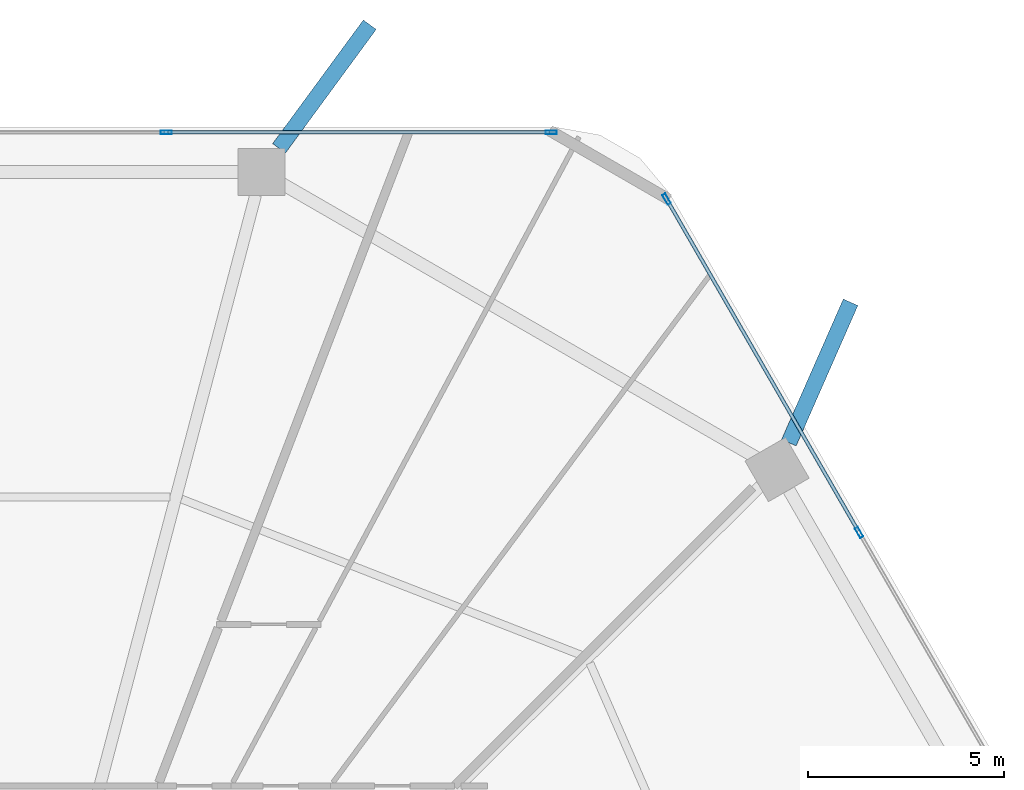
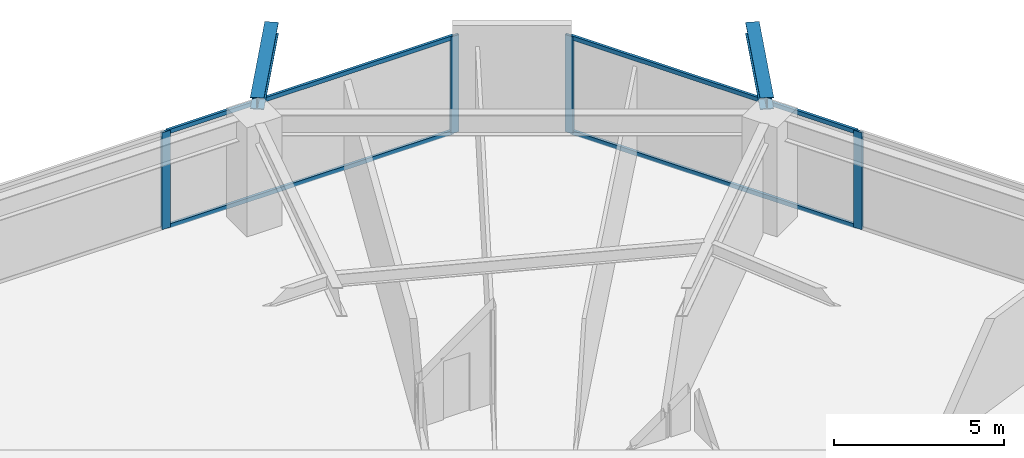
# One storey, part 19 of 25: 8 members, 2 beams, 2 elements without a shape of their own.
"""IFC4 building model written with IfcOpenShell, lengths in metres."""

from ifc_helpers import new_model, si_unit, direction, frame, origin, origin_2d, place, context, subcontext, project, spatial, hollow_rectangle, i_section, extrude, material, material_profile, profile_set, type_object, element, aggregate, save


model = new_model("IFC4")

# Units and contexts
model_context = context("Model", 3, precision=1e-05, world=origin(), true_north=direction((0.0, 1.0)))
body_context = subcontext(model_context, "Body", "Model", "MODEL_VIEW")
ifc_project = project(units=[si_unit("LENGTHUNIT", "METRE"), si_unit("AREAUNIT", "SQUARE_METRE"), si_unit("VOLUMEUNIT", "CUBIC_METRE"), si_unit("PLANEANGLEUNIT", "RADIAN"), si_unit("MASSUNIT", "GRAM", prefix="KILO")], contexts=[model_context])

# Site, building, storey
site_placement = place(None, origin())
site = spatial("IfcSite", under=ifc_project, at=site_placement, CompositionType="ELEMENT")
building_placement = place(site_placement, origin())
building = spatial("IfcBuilding", under=site, at=building_placement, Name="Zuhravey Tower", CompositionType="ELEMENT")
storey_placement = place(building_placement, frame((0.0, 0.0, 70.800048828125)))
storey = spatial("IfcBuildingStorey", under=building, at=storey_placement, Name="L17", CompositionType="ELEMENT", Elevation=70.800048828125)

# Curtain wall, members
ifc_material_1 = material(Name="Thermally broken anodised aluminium", Category="aluminium")
curtain_wall_type = type_object("IfcCurtainWallType", Name="School Low-E Unitised Curtain Wall CW1", PredefinedType="NOTDEFINED", material=ifc_material_1)
curtain_wall_1_placement = place(storey_placement, origin())
curtain_wall_1 = element("IfcCurtainWall", 1, at=curtain_wall_1_placement, inside=storey, type_object=curtain_wall_type, Name="L17 CW1 CW-L17-F2-1", PredefinedType="NOTDEFINED")
ifc_material_2 = material(Name="Anodised aluminium", Category="aluminium")
ifc_material_profile_1 = material_profile(ifc_material_2, hollow_rectangle(XDim=0.090087890625, YDim=0.284912109375, WallThickness=0.0048828125, at=origin_2d()), Name="ALU-RHS-90x285x5")
ifc_profile_set_1 = profile_set([ifc_material_profile_1], Name="Anodised aluminium")
member_type_1 = type_object("IfcMemberType", Name="Curtain-Wall Mullion 90x180", PredefinedType="MULLION", material=ifc_profile_set_1)
member_1_placement = place(storey_placement, frame((40.93310546875, 60.95849609375, 0.0), z_axis=(0.0, 0.0, 1.0), x_axis=(0.0, 1.0, 0.0)))
member_1 = element("IfcMember", 2, at=member_1_placement, type_object=member_type_1, Name="CW1 mullion 3", PredefinedType="MULLION", context=body_context, shape_type="SweptSolid", body=[
    extrude(hollow_rectangle(XDim=0.090087890625, YDim=0.284912109375, WallThickness=0.0048828125, at=origin_2d()), origin(), (0.0, 0.0, 1.0), 3.491943359375),
])
member_2_placement = place(storey_placement, frame((50.75439453125, 60.95849609375, 0.0), z_axis=(0.0, 0.0, 1.0), x_axis=(0.0, 1.0, 0.0)))
member_2 = element("IfcMember", 3, at=member_2_placement, type_object=member_type_1, Name="CW1 mullion 4", PredefinedType="MULLION", context=body_context, shape_type="SweptSolid", body=[
    extrude(hollow_rectangle(XDim=0.090087890625, YDim=0.284912109375, WallThickness=0.0048828125, at=origin_2d()), origin(), (0.0, 0.0, 1.0), 3.491943359375),
])

curtain_wall_2_placement = place(storey_placement, origin())
curtain_wall_2 = element("IfcCurtainWall", 4, at=curtain_wall_2_placement, inside=storey, type_object=curtain_wall_type, Name="L17 CW1 CW-L17-F1-1", PredefinedType="NOTDEFINED")
member_3_placement = place(storey_placement, frame((53.701416015625, 59.257080078125, 0.0), z_axis=(0.0, 0.0, 1.0), x_axis=(0.86602552265, 0.499999794119, 0.0)))
member_3 = element("IfcMember", 5, at=member_3_placement, type_object=member_type_1, Name="CW1 mullion 1", PredefinedType="MULLION", context=body_context, shape_type="SweptSolid", body=[
    extrude(hollow_rectangle(XDim=0.090087890625, YDim=0.284912109375, WallThickness=0.0048828125, at=origin_2d()), origin(), (0.0, 0.0, 1.0), 3.491943359375),
])
member_4_placement = place(storey_placement, frame((58.612060546875, 50.75146484375, 0.0), z_axis=(0.0, 0.0, 1.0), x_axis=(0.86602552265, 0.499999794119, 0.0)))
member_4 = element("IfcMember", 6, at=member_4_placement, type_object=member_type_1, Name="CW1 mullion 2", PredefinedType="MULLION", context=body_context, shape_type="SweptSolid", body=[
    extrude(hollow_rectangle(XDim=0.090087890625, YDim=0.284912109375, WallThickness=0.0048828125, at=origin_2d()), origin(), (0.0, 0.0, 1.0), 3.491943359375),
])

# Member
ifc_material_profile_2 = material_profile(ifc_material_2, hollow_rectangle(XDim=0.090087890625, YDim=0.14990234375, WallThickness=0.0048828125, at=origin_2d()), Name="ALU-RHS-90x150x5")
ifc_profile_set_2 = profile_set([ifc_material_profile_2], Name="Anodised aluminium")
member_type_2 = type_object("IfcMemberType", Name="Curtain-Wall Transom 90x150", PredefinedType="USERDEFINED", material=ifc_profile_set_2)
member_5_placement = place(storey_placement, frame((40.978271484375, 60.95849609375, 0.044921875), z_axis=(1.0, 0.0, 0.0), x_axis=(0.0, 1.0, 0.0)))
member_5 = element("IfcMember", 7, at=member_5_placement, type_object=member_type_2, Name="CW1 transom 3.1", ObjectType="TRANSOM", PredefinedType="USERDEFINED", context=body_context, shape_type="SweptSolid", body=[
    extrude(hollow_rectangle(XDim=0.090087890625, YDim=0.14990234375, WallThickness=0.0048828125, at=origin_2d()), origin(), (0.0, 0.0, 1.0), 9.731201171875),
])

member_6_placement = place(storey_placement, frame((40.978271484375, 60.95849609375, 3.447021484375), z_axis=(1.0, 0.0, 0.0), x_axis=(0.0, 1.0, 0.0)))
member_6 = element("IfcMember", 8, at=member_6_placement, type_object=member_type_2, Name="CW1 transom 3.2", ObjectType="TRANSOM", PredefinedType="USERDEFINED", context=body_context, shape_type="SweptSolid", body=[
    extrude(hollow_rectangle(XDim=0.090087890625, YDim=0.14990234375, WallThickness=0.0048828125, at=origin_2d()), origin(), (0.0, 0.0, 1.0), 9.731201171875),
])

aggregate(curtain_wall_1, [member_1, member_2, member_5, member_6])

member_7_placement = place(storey_placement, frame((53.72412109375, 59.218017578125, 0.044921875), z_axis=(0.499989576763, -0.86603142156, 0.0), x_axis=(0.86603142156, 0.499989576763, 0.0)))
member_7 = element("IfcMember", 9, at=member_7_placement, type_object=member_type_2, Name="CW1 transom 1.1", ObjectType="TRANSOM", PredefinedType="USERDEFINED", context=body_context, shape_type="SweptSolid", body=[
    extrude(hollow_rectangle(XDim=0.090087890625, YDim=0.14990234375, WallThickness=0.0048828125, at=origin_2d()), origin(), (0.0, 0.0, 1.0), 9.731201171875),
])

member_8_placement = place(storey_placement, frame((53.72412109375, 59.218017578125, 3.447021484375), z_axis=(0.499989576763, -0.86603142156, 0.0), x_axis=(0.86603142156, 0.499989576763, 0.0)))
member_8 = element("IfcMember", 10, at=member_8_placement, type_object=member_type_2, Name="CW1 transom 1.2", ObjectType="TRANSOM", PredefinedType="USERDEFINED", context=body_context, shape_type="SweptSolid", body=[
    extrude(hollow_rectangle(XDim=0.090087890625, YDim=0.14990234375, WallThickness=0.0048828125, at=origin_2d()), origin(), (0.0, 0.0, 1.0), 9.731201171875),
])

aggregate(curtain_wall_2, [member_3, member_4, member_7, member_8])

# Beams
ifc_material_3 = material(Name="Steel SM460", Category="steel")
ifc_material_profile_3 = material_profile(ifc_material_3, i_section(OverallWidth=0.406982421875, OverallDepth=0.427978515625, WebThickness=0.02001953125, FlangeThickness=0.034912109375, at=origin_2d()), Name="H-428x407x20x35")
ifc_profile_set_3 = profile_set([ifc_material_profile_3], Name="Steel SM460")
beam_type = type_object("IfcBeamType", Name="Exoskeleton Node Tie Beam H428x407", PredefinedType="BEAM", material=ifc_profile_set_3)
beam_1_placement = place(storey_placement, frame((56.820068359375, 53.0419921875, 3.7060546875), z_axis=(0.402366403128, 0.915478715009, 0.0), x_axis=(-0.915478715009, 0.402366403128, 0.0)))
element("IfcBeam", 11, at=beam_1_placement, inside=storey, type_object=beam_type, Name="L17 Exoskeleton Node Tie NT1-02", PredefinedType="BEAM", context=body_context, shape_type="SweptSolid", body=[
    extrude(i_section(OverallWidth=0.406982421875, OverallDepth=0.427978515625, WebThickness=0.02001953125, FlangeThickness=0.034912109375, at=origin_2d()), origin(), (0.0, 0.0, 1.0), 3.9130859375),
])
beam_2_placement = place(storey_placement, frame((43.812744140625, 60.5517578125, 3.7060546875), z_axis=(0.591671978423, 0.806178807678, 0.0), x_axis=(-0.806178807678, 0.591671978423, 0.0)))
element("IfcBeam", 12, at=beam_2_placement, inside=storey, type_object=beam_type, Name="L17 Exoskeleton Node Tie NT1-03", PredefinedType="BEAM", context=body_context, shape_type="SweptSolid", body=[
    extrude(i_section(OverallWidth=0.406982421875, OverallDepth=0.427978515625, WebThickness=0.02001953125, FlangeThickness=0.034912109375, at=origin_2d()), origin(), (0.0, 0.0, 1.0), 3.912841796875),
])

save(model, "model.ifc")
